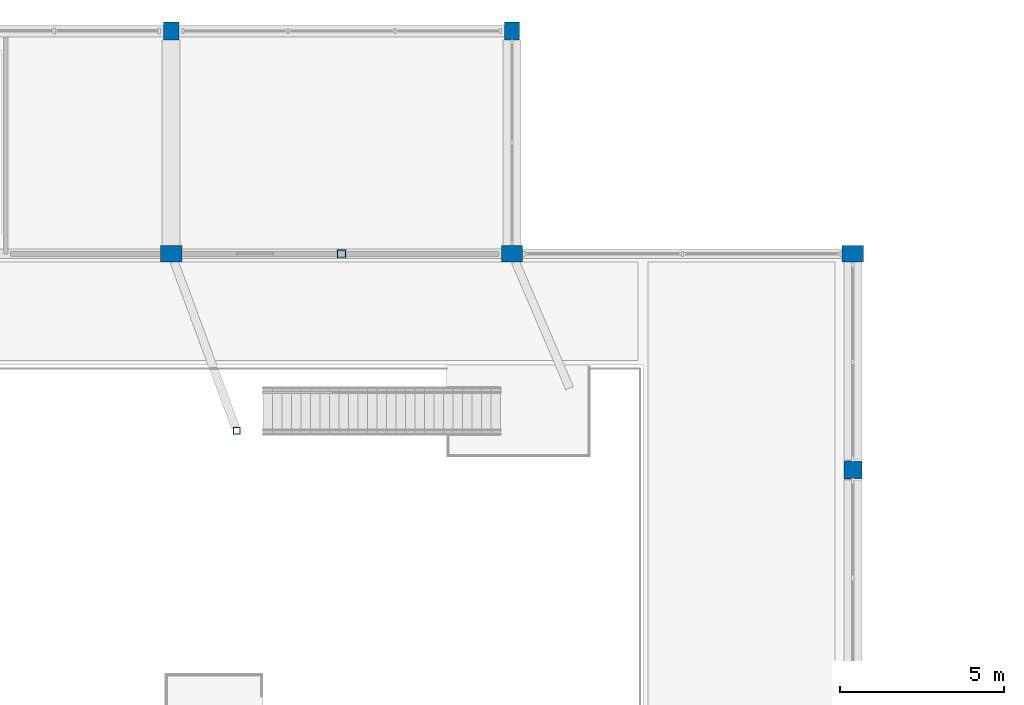
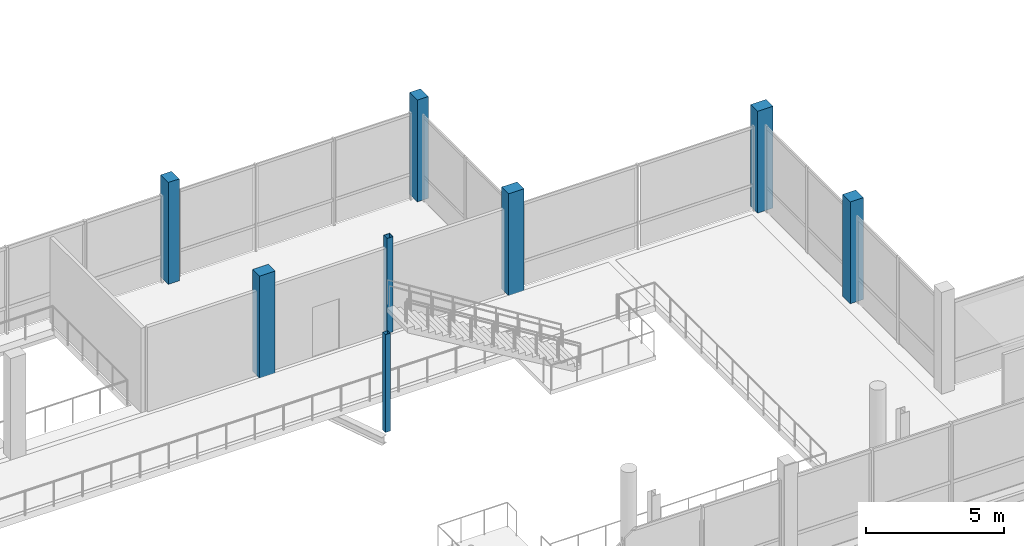
# One storey, part 12 of 95: 8 columns.
"""IFC4 building model written with IfcOpenShell, lengths in metres."""

from ifc_helpers import new_model, si_unit, derived_unit, direction, frame, origin, origin_2d, place, context, subcontext, project, spatial, rectangle, hollow_rectangle, extrude, material, material_profile, profile_set, type_object, element, save


model = new_model("IFC4")

# Units and contexts
model_context = context("Model", 3, precision=1e-05, world=origin(), true_north=direction((0.0, 1.0)))
body_context = subcontext(model_context, "Body", "Model", "MODEL_VIEW")
ifc_project = project(units=[si_unit("LENGTHUNIT", "METRE"), si_unit("AREAUNIT", "SQUARE_METRE"), si_unit("VOLUMEUNIT", "CUBIC_METRE"), si_unit("PLANEANGLEUNIT", "RADIAN"), si_unit("MASSUNIT", "GRAM", prefix="KILO"), derived_unit("THERMALTRANSMITTANCEUNIT", [(si_unit("POWERUNIT", "WATT"), 1), (si_unit("LENGTHUNIT", "METRE"), -2), (si_unit("THERMODYNAMICTEMPERATUREUNIT", "KELVIN"), -1)])], contexts=[model_context])

# Site, building, storey
site_placement = place(None, origin())
site = spatial("IfcSite", under=ifc_project, at=site_placement, CompositionType="ELEMENT")
building_placement = place(site_placement, origin())
building = spatial("IfcBuilding", under=site, at=building_placement, Name="Braskholm Square Health Centre", CompositionType="ELEMENT")
storey_placement = place(building_placement, frame((0.0, 0.0, 4.800048828125)))
storey = spatial("IfcBuildingStorey", under=building, at=storey_placement, Name="L02", CompositionType="ELEMENT", Elevation=4.800048828125)

# Columns
ifc_material_1 = material(Name="Concrete C40/50 (f'c = 40 MPa)", Category="concrete")
ifc_material_profile_1 = material_profile(ifc_material_1, rectangle(XDim=0.64990234375, YDim=0.5, at=origin_2d()), Name="RC-650X500")
ifc_profile_set_1 = profile_set([ifc_material_profile_1], Name="Concrete C40/50 (f'c = 40 MPa)")
column_type_1 = type_object("IfcColumnType", Name="ColHallPier650x500", PredefinedType="COLUMN", material=ifc_profile_set_1)
for number, where, z_axis, x_axis, name in (
    (1, (99.60009765625, 107.0, 0.0), (0.0, 0.0, 1.0), (1.0, 0.0, 0.0), "Column 13/R L02"),
    (2, (110.0, 107.0, 0.0), (0.0, 0.0, 1.0), (1.0, 0.0, 0.0), "Column 14/R L02"),
    (3, (120.39990234375, 107.0, 0.0), (0.0, 0.0, 1.0), (1.0, 0.0, 0.0), "Column 15/R L02"),
):
    element("IfcColumn", number, at=place(storey_placement, frame(where, z_axis=z_axis, x_axis=x_axis)), inside=storey, type_object=column_type_1, Name=name, PredefinedType="COLUMN", context=body_context, shape_type="SweptSolid", body=[
        extrude(rectangle(XDim=0.64990234375, YDim=0.5, at=origin_2d()), origin(), (0.0, 0.0, 1.0), 4.5),
    ])
ifc_material_profile_2 = material_profile(ifc_material_1, rectangle(XDim=0.550048828125, YDim=0.550048828125, at=origin_2d()), Name="RC-550X550")
ifc_profile_set_2 = profile_set([ifc_material_profile_2], Name="Concrete C40/50 (f'c = 40 MPa)")
column_type_2 = type_object("IfcColumnType", Name="ColInteriorMid550", PredefinedType="COLUMN", material=ifc_profile_set_2)
column_1_placement = place(storey_placement, frame((120.39990234375, 100.39990234375, 0.0), z_axis=(0.0, 0.0, 1.0), x_axis=(1.0, 0.0, 0.0)))
element("IfcColumn", 4, at=column_1_placement, inside=storey, type_object=column_type_2, Name="Column 15/Q L02", PredefinedType="COLUMN", context=body_context, shape_type="SweptSolid", body=[
    extrude(rectangle(XDim=0.550048828125, YDim=0.550048828125, at=origin_2d()), origin(), (0.0, 0.0, 1.0), 4.5),
])
ifc_material_2 = material(Name="Precast concrete C40/50 architectural white", Category="concrete")
ifc_material_profile_3 = material_profile(ifc_material_2, rectangle(XDim=0.4599609375, YDim=0.56005859375, at=origin_2d()), Name="RC-460X560")
ifc_profile_set_3 = profile_set([ifc_material_profile_3], Name="Precast concrete C40/50 architectural white")
column_type_3 = type_object("IfcColumnType", Name="ColPrecastFrame460x560", PredefinedType="COLUMN", material=ifc_profile_set_3)
for number, where, z_axis, x_axis, name in (
    (5, (99.60009765625, 113.800048828125, 0.0), (0.0, 0.0, 1.0), (1.0, 0.0, 0.0), "Column 13/S L02"),
    (6, (110.0, 113.800048828125, 0.0), (0.0, 0.0, 1.0), (1.0, 0.0, 0.0), "Column 14/S L02"),
):
    element("IfcColumn", number, at=place(storey_placement, frame(where, z_axis=z_axis, x_axis=x_axis)), inside=storey, type_object=column_type_3, Name=name, PredefinedType="COLUMN", context=body_context, shape_type="SweptSolid", body=[
        extrude(rectangle(XDim=0.4599609375, YDim=0.56005859375, at=origin_2d()), origin(), (0.0, 0.0, 1.0), 4.5),
    ])
ifc_material_3 = material(Name="Steel ASTM A500 Grade C", Category="steel")
ifc_material_profile_4 = material_profile(ifc_material_3, hollow_rectangle(XDim=0.25390625, YDim=0.25390625, WallThickness=0.01171875, at=origin_2d()), Name="HSS10X10X1/2")
ifc_profile_set_4 = profile_set([ifc_material_profile_4], Name="Steel ASTM A500 Grade C")
column_type_4 = type_object("IfcColumnType", Name="ColSteelCanopyHSS10", PredefinedType="COLUMN", material=ifc_profile_set_4)
column_2_placement = place(storey_placement, frame((104.800048828125, 107.0, 0.0), z_axis=(0.0, 0.0, 1.0), x_axis=(1.0, 0.0, 0.0)))
element("IfcColumn", 7, at=column_2_placement, inside=storey, type_object=column_type_4, Name="Column CS2F L02", PredefinedType="COLUMN", context=body_context, shape_type="SweptSolid", body=[
    extrude(hollow_rectangle(XDim=0.25390625, YDim=0.25390625, WallThickness=0.01171875, at=origin_2d()), origin(), (0.0, 0.0, 1.0), 4.199951171875),
])
ifc_material_profile_5 = material_profile(ifc_material_3, hollow_rectangle(XDim=0.203125, YDim=0.203125, WallThickness=0.0087890625, at=origin_2d()), Name="HSS8X8X3/8")
ifc_profile_set_5 = profile_set([ifc_material_profile_5], Name="Steel ASTM A500 Grade C")
column_type_5 = type_object("IfcColumnType", Name="ColSteelPorchHSS8", PredefinedType="COLUMN", material=ifc_profile_set_5)
column_3_placement = place(storey_placement, frame((101.60009765625, 101.60009765625, 0.0), z_axis=(0.0, 0.0, 1.0), x_axis=(1.0, 0.0, 0.0)))
element("IfcColumn", 8, at=column_3_placement, inside=storey, type_object=column_type_5, Name="Column CS3K L02", PredefinedType="COLUMN", context=body_context, shape_type="SweptSolid", body=[
    extrude(hollow_rectangle(XDim=0.203125, YDim=0.203125, WallThickness=0.0087890625, at=origin_2d()), origin(), (0.0, 0.0, 1.0), 4.320068359375),
])

save(model, "model.ifc")
